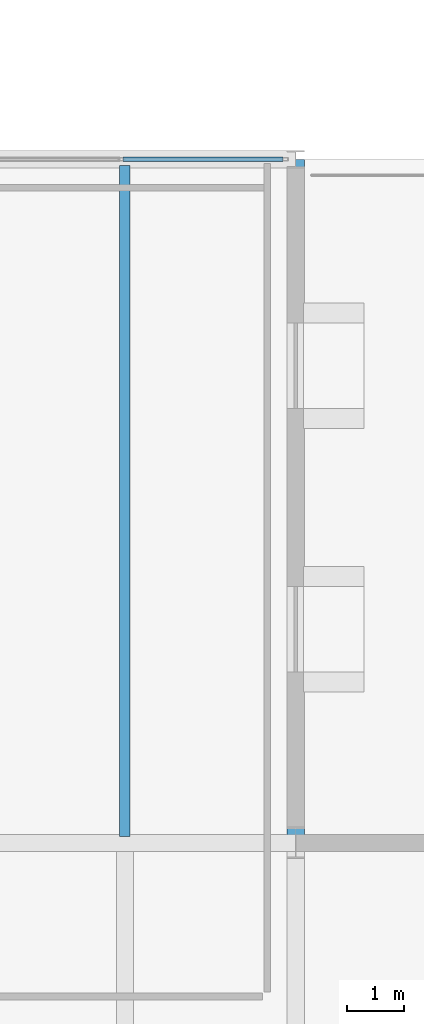
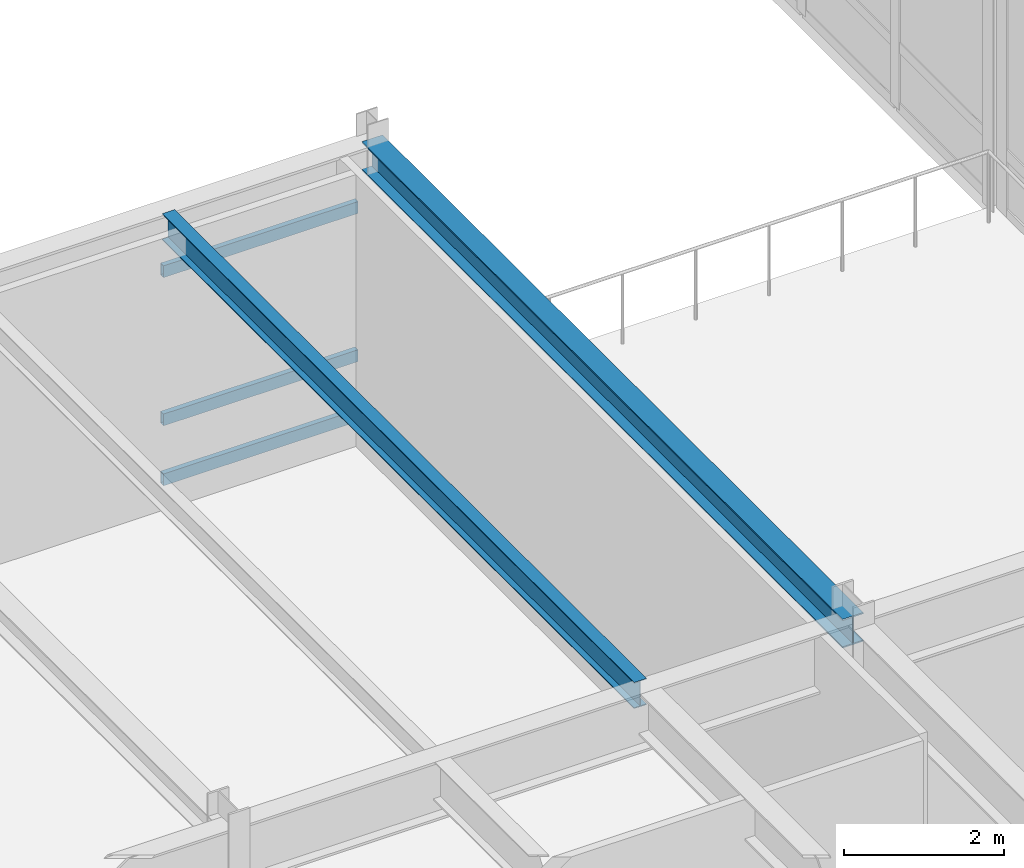
# One storey, part 27 of 115: 3 members, 2 beams, 1 element without a shape of its own.
"""IFC4 building model written with IfcOpenShell, lengths in metres."""

from ifc_helpers import new_model, si_unit, direction, frame, origin, origin_2d, place, context, subcontext, project, spatial, hollow_rectangle, i_section, extrude, material, layer, layer_set, material_profile, profile_set, type_object, element, aggregate, save


model = new_model("IFC4")

# Units and contexts
model_context = context("Model", 3, precision=1e-05, world=origin(), true_north=direction((0.0, 1.0)))
body_context = subcontext(model_context, "Body", "Model", "MODEL_VIEW")
ifc_project = project(units=[si_unit("LENGTHUNIT", "METRE"), si_unit("AREAUNIT", "SQUARE_METRE"), si_unit("VOLUMEUNIT", "CUBIC_METRE"), si_unit("PLANEANGLEUNIT", "RADIAN"), si_unit("MASSUNIT", "GRAM", prefix="KILO")], contexts=[model_context])

# Site, building, storey
site_placement = place(None, origin())
site = spatial("IfcSite", under=ifc_project, at=site_placement, CompositionType="ELEMENT")
building_placement = place(site_placement, origin())
building = spatial("IfcBuilding", under=site, at=building_placement, Name="Montelvaro Courts of Justice", CompositionType="ELEMENT")
storey_placement = place(building_placement, frame((0.0, 0.0, 9.89990234375)))
storey = spatial("IfcBuildingStorey", under=building, at=storey_placement, Name="L02", CompositionType="ELEMENT", Elevation=9.89990234375)

# Beams
ifc_material_1 = material(Name="Steel S355", Category="steel")
ifc_material_profile_1 = material_profile(ifc_material_1, i_section(OverallWidth=0.300048828125, OverallDepth=0.43994140625, WebThickness=0.011474609375, FlangeThickness=0.02099609375, at=origin_2d()), Name="HEA 450")
ifc_profile_set_1 = profile_set([ifc_material_profile_1], Name="Steel S355")
beam_type_1 = type_object("IfcBeamType", Name="Beam_HEA450", PredefinedType="USERDEFINED", material=ifc_profile_set_1)
beam_1_placement = place(storey_placement, frame((45.0, 42.0, 3.940185546875), z_axis=(0.0, 1.0, 0.0), x_axis=(-1.0, 0.0, 0.0)))
element("IfcBeam", 1, at=beam_1_placement, inside=storey, type_object=beam_type_1, Name="Beam B-18 L02", ObjectType="GIRDER", PredefinedType="USERDEFINED", context=body_context, shape_type="SweptSolid", body=[
    extrude(i_section(OverallWidth=0.300048828125, OverallDepth=0.43994140625, WebThickness=0.011474609375, FlangeThickness=0.02099609375, at=origin_2d()), origin(), (0.0, 0.0, 1.0), 12.0),
])
ifc_material_profile_2 = material_profile(ifc_material_1, i_section(OverallWidth=0.179931640625, OverallDepth=0.39990234375, WebThickness=0.008544921875, FlangeThickness=0.013427734375, at=origin_2d()), Name="IPE 400")
ifc_profile_set_2 = profile_set([ifc_material_profile_2], Name="Steel S355")
beam_type_2 = type_object("IfcBeamType", Name="Beam_IPE400", PredefinedType="BEAM", material=ifc_profile_set_2)
beam_2_placement = place(storey_placement, frame((42.0, 42.110107421875, 3.960205078125), z_axis=(0.0, 1.0, 0.0), x_axis=(-1.0, 0.0, 0.0)))
element("IfcBeam", 2, at=beam_2_placement, inside=storey, type_object=beam_type_2, Name="Beam B-08 L02", PredefinedType="BEAM", context=body_context, shape_type="SweptSolid", body=[
    extrude(i_section(OverallWidth=0.179931640625, OverallDepth=0.39990234375, WebThickness=0.008544921875, FlangeThickness=0.013427734375, at=origin_2d()), origin(), (0.0, 0.0, 1.0), 11.77978515625),
])

# Curtain wall, members
ifc_material_2 = material(Name="Anodised aluminium EN AW-6063", Category="aluminium")
ifc_layer = layer(ifc_material_2, 0.159912109375)
ifc_layer_set = layer_set([ifc_layer], Name="Anodised aluminium EN AW-6063")
curtain_wall_type = type_object("IfcCurtainWallType", Name="CurtainWall_18_868x418", PredefinedType="USERDEFINED", material=ifc_layer_set)
curtain_wall_placement = place(storey_placement, origin())
curtain_wall = element("IfcCurtainWall", 3, at=curtain_wall_placement, inside=storey, type_object=curtain_wall_type, Name="Curtain Wall CW-18 (L02)", ObjectType="CURTAIN WALL", PredefinedType="USERDEFINED")
ifc_material_profile_3 = material_profile(ifc_material_2, hollow_rectangle(XDim=0.074951171875, YDim=0.179931640625, WallThickness=0.0048828125, at=origin_2d()), Name="ALU-T 75x180")
ifc_profile_set_3 = profile_set([ifc_material_profile_3], Name="Anodised aluminium EN AW-6063")
member_type = type_object("IfcMemberType", Name="CurtainWall_Transom_75x180", PredefinedType="USERDEFINED", material=ifc_profile_set_3)
member_1_placement = place(storey_placement, frame((44.77490234375, 54.0, 0.03759765625), z_axis=(-1.0, 0.0, 0.0), x_axis=(0.0, -1.0, 0.0)))
member_1 = element("IfcMember", 4, at=member_1_placement, type_object=member_type, Name="CW-18 transom 1.1", ObjectType="TRANSOM", PredefinedType="USERDEFINED", context=body_context, shape_type="SweptSolid", body=[
    extrude(hollow_rectangle(XDim=0.074951171875, YDim=0.179931640625, WallThickness=0.0048828125, at=origin_2d()), origin(), (0.0, 0.0, 1.0), 2.80322265625),
])
member_2_placement = place(storey_placement, frame((44.77490234375, 54.0, 0.9501953125), z_axis=(-1.0, 0.0, 0.0), x_axis=(0.0, -1.0, 0.0)))
member_2 = element("IfcMember", 5, at=member_2_placement, type_object=member_type, Name="CW-18 transom 1.2", ObjectType="TRANSOM", PredefinedType="USERDEFINED", context=body_context, shape_type="SweptSolid", body=[
    extrude(hollow_rectangle(XDim=0.074951171875, YDim=0.179931640625, WallThickness=0.0048828125, at=origin_2d()), origin(), (0.0, 0.0, 1.0), 2.80322265625),
])
member_3_placement = place(storey_placement, frame((44.77490234375, 54.0, 3.20751953125), z_axis=(-1.0, 0.0, 0.0), x_axis=(0.0, -1.0, 0.0)))
member_3 = element("IfcMember", 6, at=member_3_placement, type_object=member_type, Name="CW-18 transom 1.3", ObjectType="TRANSOM", PredefinedType="USERDEFINED", context=body_context, shape_type="SweptSolid", body=[
    extrude(hollow_rectangle(XDim=0.074951171875, YDim=0.179931640625, WallThickness=0.0048828125, at=origin_2d()), origin(), (0.0, 0.0, 1.0), 2.80322265625),
])
aggregate(curtain_wall, [member_1, member_2, member_3])

save(model, "model.ifc")
